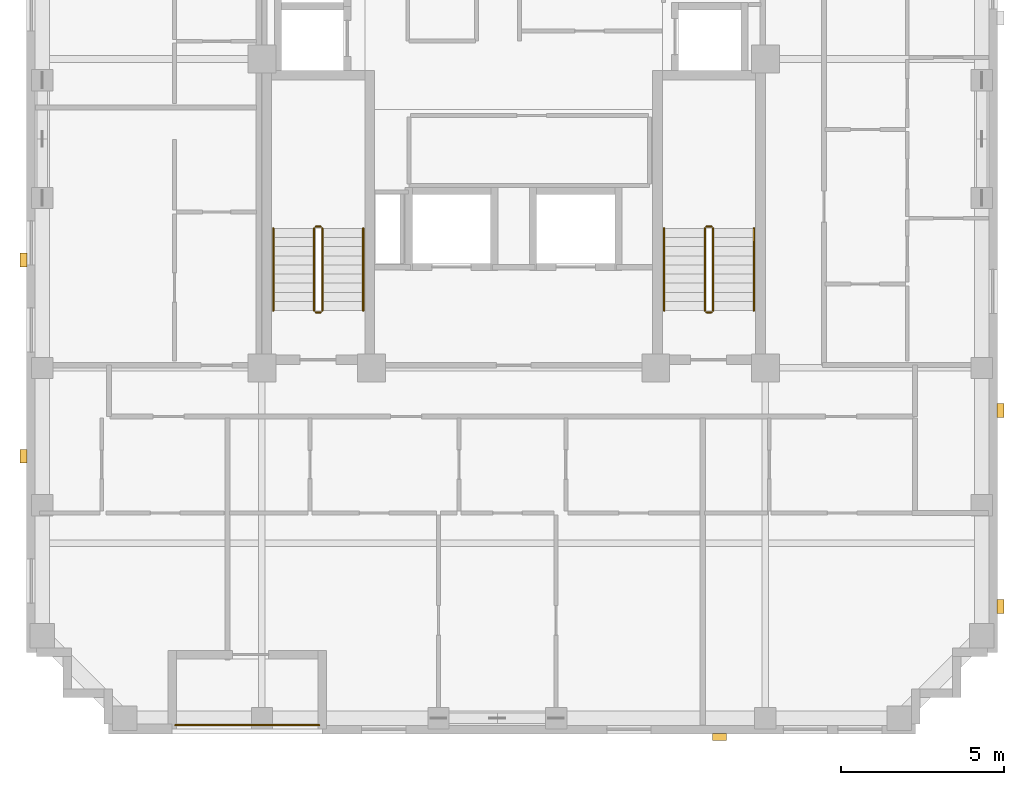
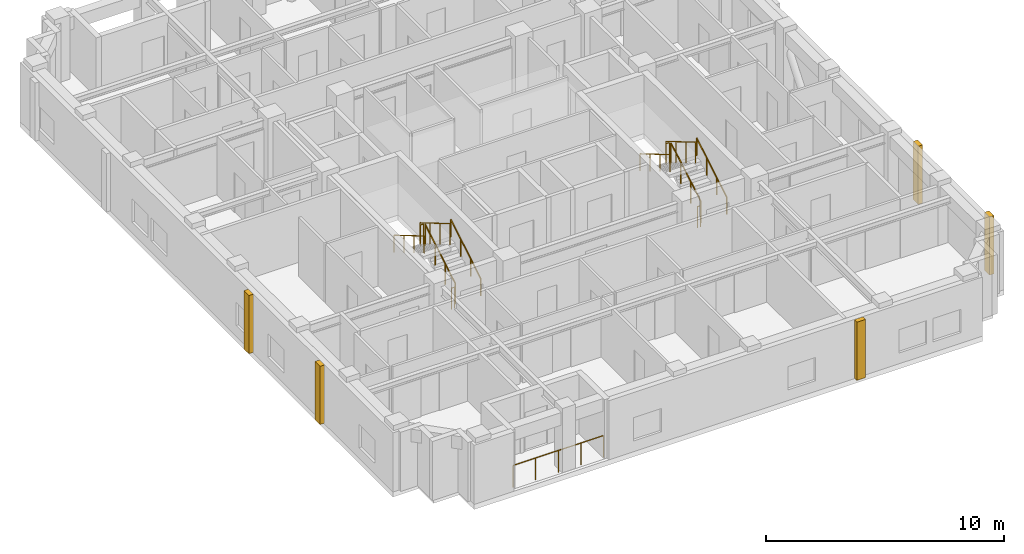
# One storey, part 9 of 10: 13 railings, 5 coverings.
"""IFC4 building model written with IfcOpenShell, lengths in metres."""

from ifc_helpers import new_model, si_unit, derived_unit, direction, frame, origin, origin_2d, place, context, subcontext, project, spatial, rectangle, circle, extrude, material, layer, layer_set, type_object, element, save


model = new_model("IFC4")

# Units and contexts
model_context = context("Model", 3, precision=1e-05, world=origin(), true_north=direction((0.0, 1.0)))
body_context = subcontext(model_context, "Body", "Model", "MODEL_VIEW")
ifc_project = project(units=[si_unit("LENGTHUNIT", "METRE"), si_unit("AREAUNIT", "SQUARE_METRE"), si_unit("VOLUMEUNIT", "CUBIC_METRE"), si_unit("PLANEANGLEUNIT", "RADIAN"), si_unit("MASSUNIT", "GRAM", prefix="KILO"), derived_unit("THERMALTRANSMITTANCEUNIT", [(si_unit("MASSUNIT", "GRAM", prefix="KILO"), 1), (si_unit("TIMEUNIT", "SECOND"), -3), (si_unit("THERMODYNAMICTEMPERATUREUNIT", "KELVIN"), -1)])], contexts=[model_context])

# Site, building, storey
site_placement = place(None, origin())
site = spatial("IfcSite", under=ifc_project, at=site_placement, CompositionType="ELEMENT")
building_placement = place(site_placement, origin())
building = spatial("IfcBuilding", under=site, at=building_placement, Name="Korrvale Station Residences", CompositionType="ELEMENT")
storey_placement = place(building_placement, frame((0.0, 0.0, 204.10009765625)))
storey = spatial("IfcBuildingStorey", under=building, at=storey_placement, Name="L59", CompositionType="ELEMENT", Elevation=204.10009765625)

# Coverings
ifc_material_1 = material(Name="Architectural precast concrete C45/55", Category="concrete")
ifc_layer = layer(ifc_material_1, 0.219970703125, Name="Architectural precast concrete C45/55")
ifc_layer_set = layer_set([ifc_layer], Name="Architectural precast concrete C45/55")
covering_type = type_object("IfcCoveringType", Name="COV-PIER-400", PredefinedType="CLADDING", material=ifc_layer_set)
for number, where, z_axis, x_axis, name in (
    (1, (31.800048828125, 3.7099609375, 0.02490234375), (0.0, 0.0, 1.0), (1.0, 0.0, 0.0), "L59 Architectural Precast Facade Pier 01"),
    (2, (10.510009765625, 12.300048828125, 0.02490234375), (0.0, 0.0, 1.0), (0.0, 1.0, 0.0), "L59 Architectural Precast Facade Pier 02"),
    (3, (10.510009765625, 18.300048828125, 0.02490234375), (0.0, 0.0, 1.0), (0.0, 1.0, 0.0), "L59 Architectural Precast Facade Pier 03"),
    (4, (40.389892578125, 13.699951171875, 0.02490234375), (0.0, 0.0, 1.0), (0.0, 1.0, 0.0), "L59 Architectural Precast Facade Pier 08"),
    (5, (40.389892578125, 7.699951171875, 0.02490234375), (0.0, 0.0, 1.0), (0.0, 1.0, 0.0), "L59 Architectural Precast Facade Pier 09"),
):
    element("IfcCovering", number, at=place(storey_placement, frame(where, z_axis=z_axis, x_axis=x_axis)), inside=storey, type_object=covering_type, Name=name, PredefinedType="CLADDING", context=body_context, shape_type="SweptSolid", body=[
        extrude(rectangle(XDim=0.419921875, YDim=0.219970703125, at=origin_2d()), origin(), (0.0, 0.0, 1.0), 2.989990234375),
    ])

# Railings
ifc_material_2 = material(Name="Powder-coated aluminium picket loggia guard", Category="aluminium")
railing_type_1 = type_object("IfcRailingType", Name="RLG-BAL-1150", PredefinedType="GUARDRAIL", material=ifc_material_2)
railing_1_placement = place(storey_placement, frame((15.14990234375, 4.070068359375, 0.0)))
element("IfcRailing", 6, at=railing_1_placement, inside=storey, type_object=railing_type_1, Name="L59 Recessed Loggia Guardrail BAL-L59-S1", PredefinedType="GUARDRAIL", context=body_context, shape_type="SweptSolid", body=[
    extrude(circle(Radius=0.02392578125, at=origin_2d()), frame((0.0, 0.0, 1.1259765625), z_axis=(1.0, 0.0, 0.0), x_axis=(0.0, 1.0, 0.0)), (0.0, 0.0, 1.0), 4.400146484375),
    extrude(circle(Radius=0.02099609375, at=origin_2d()), origin(), (0.0, 0.0, 1.0), 1.101806640625),
    extrude(circle(Radius=0.02099609375, at=origin_2d()), frame((1.10009765625, 0.0, 0.0)), (0.0, 0.0, 1.0), 1.101806640625),
    extrude(circle(Radius=0.02099609375, at=origin_2d()), frame((2.2001953125, 0.0, 0.0)), (0.0, 0.0, 1.0), 1.101806640625),
    extrude(circle(Radius=0.02099609375, at=origin_2d()), frame((3.300048828125, 0.0, 0.0)), (0.0, 0.0, 1.0), 1.101806640625),
    extrude(circle(Radius=0.02099609375, at=origin_2d()), frame((4.400146484375, 0.0, 0.0)), (0.0, 0.0, 1.0), 1.101806640625),
])
ifc_material_3 = material(Name="Brushed stainless-steel continuous stair handrail", Category="steel")
railing_type_2 = type_object("IfcRailingType", Name="RLG-SHND-900", PredefinedType="HANDRAIL", material=ifc_material_3)
railing_2_placement = place(storey_placement, frame((20.89990234375, 16.75, 0.164794921875)))
element("IfcRailing", 7, at=railing_2_placement, inside=storey, type_object=railing_type_2, Name="L59 ST-1 stair handrail 1", PredefinedType="HANDRAIL", context=body_context, shape_type="SweptSolid", body=[
    extrude(circle(Radius=0.02392578125, at=origin_2d()), frame((0.0, 0.0, 0.8759765625), z_axis=(0.0, 0.86152411907, 0.507716645641), x_axis=(-1.0, 0.0, 0.0)), (0.0, 0.0, 1.0), 2.925048828125),
    extrude(circle(Radius=0.02099609375, at=origin_2d()), origin(), (0.0, 0.0, 1.0), 0.851806640625),
    extrude(circle(Radius=0.02099609375, at=origin_2d()), frame((0.0, 0.840087890625, 0.4951171875)), (0.0, 0.0, 1.0), 0.851806640625),
    extrude(circle(Radius=0.02099609375, at=origin_2d()), frame((0.0, 1.679931640625, 0.989990234375)), (0.0, 0.0, 1.0), 0.851806640625),
    extrude(circle(Radius=0.02099609375, at=origin_2d()), frame((0.0, 2.52001953125, 1.485107421875)), (0.0, 0.0, 1.0), 0.851806640625),
])
railing_3_placement = place(storey_placement, frame((18.14990234375, 19.27001953125, 1.81494140625)))
element("IfcRailing", 8, at=railing_3_placement, inside=storey, type_object=railing_type_2, Name="L59 ST-1 stair handrail 2", PredefinedType="HANDRAIL", context=body_context, shape_type="SweptSolid", body=[
    extrude(circle(Radius=0.02392578125, at=origin_2d()), frame((0.0, 0.0, 0.8759765625), z_axis=(0.0, -0.861560626758, 0.507654692109), x_axis=(1.0, 0.0, 0.0)), (0.0, 0.0, 1.0), 2.925048828125),
    extrude(circle(Radius=0.02099609375, at=origin_2d()), origin(), (0.0, 0.0, 1.0), 0.851806640625),
    extrude(circle(Radius=0.02099609375, at=origin_2d()), frame((0.0, -0.840087890625, 0.494873046875)), (0.0, 0.0, 1.0), 0.851806640625),
    extrude(circle(Radius=0.02099609375, at=origin_2d()), frame((0.0, -1.679931640625, 0.989990234375)), (0.0, 0.0, 1.0), 0.851806640625),
    extrude(circle(Radius=0.02099609375, at=origin_2d()), frame((0.0, -2.52001953125, 1.48486328125)), (0.0, 0.0, 1.0), 0.851806640625),
])
railing_4_placement = place(storey_placement, frame((32.85009765625, 16.75, 0.164794921875)))
element("IfcRailing", 9, at=railing_4_placement, inside=storey, type_object=railing_type_2, Name="L59 ST-2 stair handrail 1", PredefinedType="HANDRAIL", context=body_context, shape_type="SweptSolid", body=[
    extrude(circle(Radius=0.02392578125, at=origin_2d()), frame((0.0, 0.0, 0.8759765625), z_axis=(0.0, 0.86152411907, 0.507716645641), x_axis=(-1.0, 0.0, 0.0)), (0.0, 0.0, 1.0), 2.925048828125),
    extrude(circle(Radius=0.02099609375, at=origin_2d()), origin(), (0.0, 0.0, 1.0), 0.851806640625),
    extrude(circle(Radius=0.02099609375, at=origin_2d()), frame((0.0, 0.840087890625, 0.4951171875)), (0.0, 0.0, 1.0), 0.851806640625),
    extrude(circle(Radius=0.02099609375, at=origin_2d()), frame((0.0, 1.679931640625, 0.989990234375)), (0.0, 0.0, 1.0), 0.851806640625),
    extrude(circle(Radius=0.02099609375, at=origin_2d()), frame((0.0, 2.52001953125, 1.485107421875)), (0.0, 0.0, 1.0), 0.851806640625),
])
railing_5_placement = place(storey_placement, frame((30.10009765625, 19.27001953125, 1.81494140625)))
element("IfcRailing", 10, at=railing_5_placement, inside=storey, type_object=railing_type_2, Name="L59 ST-2 stair handrail 2", PredefinedType="HANDRAIL", context=body_context, shape_type="SweptSolid", body=[
    extrude(circle(Radius=0.02392578125, at=origin_2d()), frame((0.0, 0.0, 0.8759765625), z_axis=(0.0, -0.861560626758, 0.507654692109), x_axis=(1.0, 0.0, 0.0)), (0.0, 0.0, 1.0), 2.925048828125),
    extrude(circle(Radius=0.02099609375, at=origin_2d()), origin(), (0.0, 0.0, 1.0), 0.851806640625),
    extrude(circle(Radius=0.02099609375, at=origin_2d()), frame((0.0, -0.840087890625, 0.494873046875)), (0.0, 0.0, 1.0), 0.851806640625),
    extrude(circle(Radius=0.02099609375, at=origin_2d()), frame((0.0, -1.679931640625, 0.989990234375)), (0.0, 0.0, 1.0), 0.851806640625),
    extrude(circle(Radius=0.02099609375, at=origin_2d()), frame((0.0, -2.52001953125, 1.48486328125)), (0.0, 0.0, 1.0), 0.851806640625),
])
ifc_material_4 = material(Name="Galvanised painted tubular steel stair guard", Category="steel")
railing_type_3 = type_object("IfcRailingType", Name="RLG-STR-1100", PredefinedType="GUARDRAIL", material=ifc_material_4)
railing_6_placement = place(storey_placement, frame((19.64990234375, 16.75, 0.164794921875)))
element("IfcRailing", 11, at=railing_6_placement, inside=storey, type_object=railing_type_3, Name="L59 ST-1 stair guard 1", PredefinedType="GUARDRAIL", context=body_context, shape_type="SweptSolid", body=[
    extrude(circle(Radius=0.02392578125, at=origin_2d()), frame((0.0, 0.0, 1.076171875), z_axis=(0.0, 0.86152411907, 0.507716645641), x_axis=(-1.0, 0.0, 0.0)), (0.0, 0.0, 1.0), 2.925048828125),
    extrude(circle(Radius=0.02099609375, at=origin_2d()), origin(), (0.0, 0.0, 1.0), 1.052001953125),
    extrude(circle(Radius=0.02099609375, at=origin_2d()), frame((0.0, 0.840087890625, 0.4951171875)), (0.0, 0.0, 1.0), 1.052001953125),
    extrude(circle(Radius=0.02099609375, at=origin_2d()), frame((0.0, 1.679931640625, 0.989990234375)), (0.0, 0.0, 1.0), 1.052001953125),
    extrude(circle(Radius=0.02099609375, at=origin_2d()), frame((0.0, 2.52001953125, 1.485107421875)), (0.0, 0.0, 1.0), 1.052001953125),
])
railing_7_placement = place(storey_placement, frame((19.60009765625, 19.320068359375, 1.64990234375)))
element("IfcRailing", 12, at=railing_7_placement, inside=storey, type_object=railing_type_3, Name="L59 ST-1 stair guard 2", PredefinedType="GUARDRAIL", context=body_context, shape_type="SweptSolid", body=[
    extrude(circle(Radius=0.02392578125, at=origin_2d()), frame((0.0, 0.0, 1.076171875), z_axis=(-1.0, 0.0, 0.0), x_axis=(0.0, -1.0, 0.0)), (0.0, 0.0, 1.0), 0.150146484375),
    extrude(circle(Radius=0.02099609375, at=origin_2d()), origin(), (0.0, 0.0, 1.0), 1.052001953125),
    extrude(circle(Radius=0.02099609375, at=origin_2d()), frame((-0.150146484375, 0.0, 0.0)), (0.0, 0.0, 1.0), 1.052001953125),
])
railing_8_placement = place(storey_placement, frame((19.39990234375, 19.27001953125, 1.81494140625)))
element("IfcRailing", 13, at=railing_8_placement, inside=storey, type_object=railing_type_3, Name="L59 ST-1 stair guard 3", PredefinedType="GUARDRAIL", context=body_context, shape_type="SweptSolid", body=[
    extrude(circle(Radius=0.02392578125, at=origin_2d()), frame((0.0, 0.0, 1.076171875), z_axis=(0.0, -0.861560626758, 0.507654692109), x_axis=(1.0, 0.0, 0.0)), (0.0, 0.0, 1.0), 2.925048828125),
    extrude(circle(Radius=0.02099609375, at=origin_2d()), origin(), (0.0, 0.0, 1.0), 1.052001953125),
    extrude(circle(Radius=0.02099609375, at=origin_2d()), frame((0.0, -0.840087890625, 0.494873046875)), (0.0, 0.0, 1.0), 1.052001953125),
    extrude(circle(Radius=0.02099609375, at=origin_2d()), frame((0.0, -1.679931640625, 0.989990234375)), (0.0, 0.0, 1.0), 1.052001953125),
    extrude(circle(Radius=0.02099609375, at=origin_2d()), frame((0.0, -2.52001953125, 1.48486328125)), (0.0, 0.0, 1.0), 1.052001953125),
])
railing_9_placement = place(storey_placement, frame((19.60009765625, 16.699951171875, 0.0)))
element("IfcRailing", 14, at=railing_9_placement, inside=storey, type_object=railing_type_3, Name="L59 ST-1 stair guard 4", PredefinedType="GUARDRAIL", context=body_context, shape_type="SweptSolid", body=[
    extrude(circle(Radius=0.02392578125, at=origin_2d()), frame((0.0, 0.0, 1.076171875), z_axis=(-1.0, 0.0, 0.0), x_axis=(0.0, -1.0, 0.0)), (0.0, 0.0, 1.0), 0.150146484375),
    extrude(circle(Radius=0.02099609375, at=origin_2d()), origin(), (0.0, 0.0, 1.0), 1.052001953125),
    extrude(circle(Radius=0.02099609375, at=origin_2d()), frame((-0.150146484375, 0.0, 0.0)), (0.0, 0.0, 1.0), 1.052001953125),
])
railing_10_placement = place(storey_placement, frame((31.60009765625, 16.75, 0.164794921875)))
element("IfcRailing", 15, at=railing_10_placement, inside=storey, type_object=railing_type_3, Name="L59 ST-2 stair guard 1", PredefinedType="GUARDRAIL", context=body_context, shape_type="SweptSolid", body=[
    extrude(circle(Radius=0.02392578125, at=origin_2d()), frame((0.0, 0.0, 1.076171875), z_axis=(0.0, 0.86152411907, 0.507716645641), x_axis=(-1.0, 0.0, 0.0)), (0.0, 0.0, 1.0), 2.925048828125),
    extrude(circle(Radius=0.02099609375, at=origin_2d()), origin(), (0.0, 0.0, 1.0), 1.052001953125),
    extrude(circle(Radius=0.02099609375, at=origin_2d()), frame((0.0, 0.840087890625, 0.4951171875)), (0.0, 0.0, 1.0), 1.052001953125),
    extrude(circle(Radius=0.02099609375, at=origin_2d()), frame((0.0, 1.679931640625, 0.989990234375)), (0.0, 0.0, 1.0), 1.052001953125),
    extrude(circle(Radius=0.02099609375, at=origin_2d()), frame((0.0, 2.52001953125, 1.485107421875)), (0.0, 0.0, 1.0), 1.052001953125),
])
railing_11_placement = place(storey_placement, frame((31.550048828125, 19.320068359375, 1.64990234375)))
element("IfcRailing", 16, at=railing_11_placement, inside=storey, type_object=railing_type_3, Name="L59 ST-2 stair guard 2", PredefinedType="GUARDRAIL", context=body_context, shape_type="SweptSolid", body=[
    extrude(circle(Radius=0.02392578125, at=origin_2d()), frame((0.0, 0.0, 1.076171875), z_axis=(-1.0, 0.0, 0.0), x_axis=(0.0, -1.0, 0.0)), (0.0, 0.0, 1.0), 0.150146484375),
    extrude(circle(Radius=0.02099609375, at=origin_2d()), origin(), (0.0, 0.0, 1.0), 1.052001953125),
    extrude(circle(Radius=0.02099609375, at=origin_2d()), frame((-0.150146484375, 0.0, 0.0)), (0.0, 0.0, 1.0), 1.052001953125),
])
railing_12_placement = place(storey_placement, frame((31.35009765625, 19.27001953125, 1.81494140625)))
element("IfcRailing", 17, at=railing_12_placement, inside=storey, type_object=railing_type_3, Name="L59 ST-2 stair guard 3", PredefinedType="GUARDRAIL", context=body_context, shape_type="SweptSolid", body=[
    extrude(circle(Radius=0.02392578125, at=origin_2d()), frame((0.0, 0.0, 1.076171875), z_axis=(0.0, -0.861560626758, 0.507654692109), x_axis=(1.0, 0.0, 0.0)), (0.0, 0.0, 1.0), 2.925048828125),
    extrude(circle(Radius=0.02099609375, at=origin_2d()), origin(), (0.0, 0.0, 1.0), 1.052001953125),
    extrude(circle(Radius=0.02099609375, at=origin_2d()), frame((0.0, -0.840087890625, 0.494873046875)), (0.0, 0.0, 1.0), 1.052001953125),
    extrude(circle(Radius=0.02099609375, at=origin_2d()), frame((0.0, -1.679931640625, 0.989990234375)), (0.0, 0.0, 1.0), 1.052001953125),
    extrude(circle(Radius=0.02099609375, at=origin_2d()), frame((0.0, -2.52001953125, 1.48486328125)), (0.0, 0.0, 1.0), 1.052001953125),
])
railing_13_placement = place(storey_placement, frame((31.550048828125, 16.699951171875, 0.0)))
element("IfcRailing", 18, at=railing_13_placement, inside=storey, type_object=railing_type_3, Name="L59 ST-2 stair guard 4", PredefinedType="GUARDRAIL", context=body_context, shape_type="SweptSolid", body=[
    extrude(circle(Radius=0.02392578125, at=origin_2d()), frame((0.0, 0.0, 1.076171875), z_axis=(-1.0, 0.0, 0.0), x_axis=(0.0, -1.0, 0.0)), (0.0, 0.0, 1.0), 0.150146484375),
    extrude(circle(Radius=0.02099609375, at=origin_2d()), origin(), (0.0, 0.0, 1.0), 1.052001953125),
    extrude(circle(Radius=0.02099609375, at=origin_2d()), frame((-0.150146484375, 0.0, 0.0)), (0.0, 0.0, 1.0), 1.052001953125),
])

save(model, "model.ifc")
